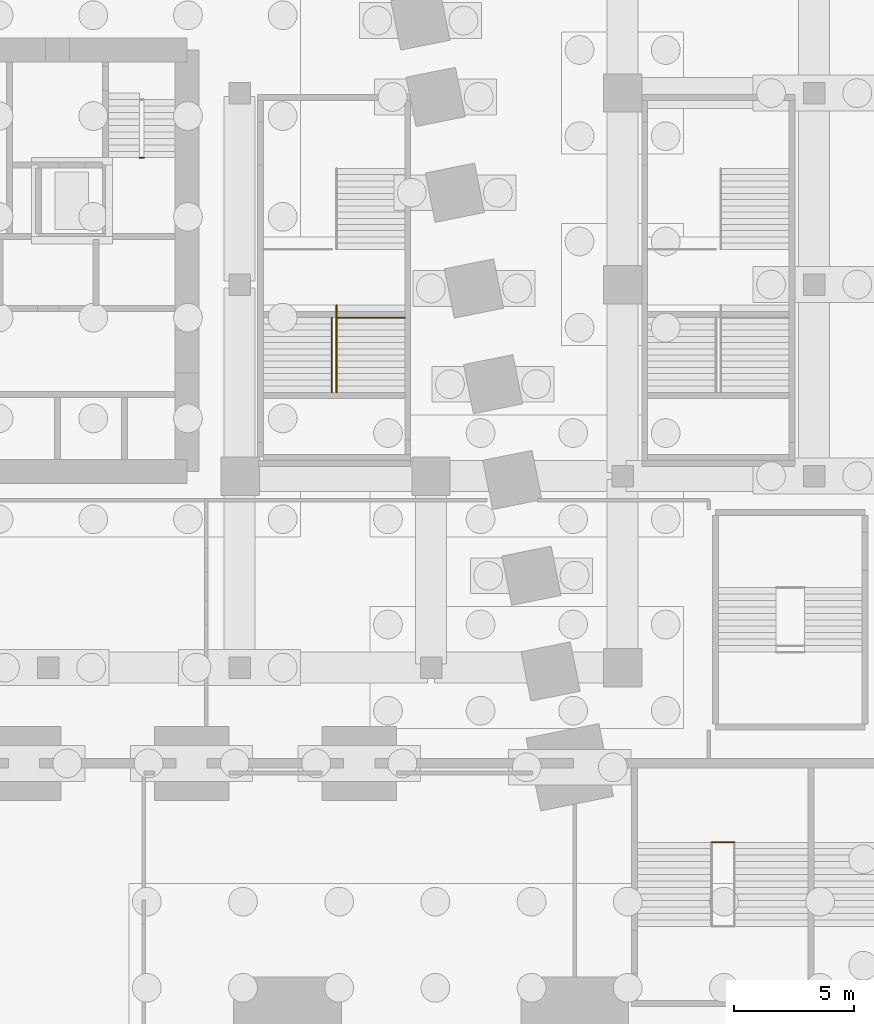
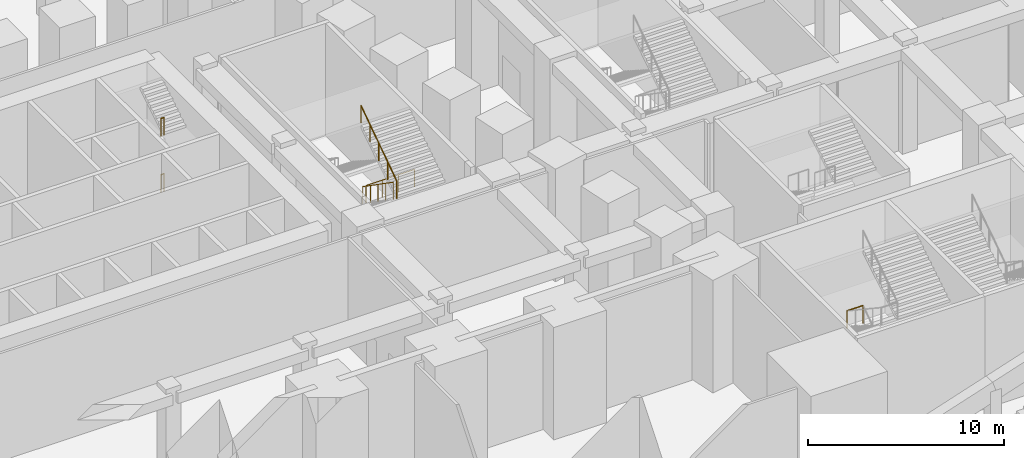
# One storey, part 26 of 30: 6 railings.
"""IFC4 building model written with IfcOpenShell, lengths in metres."""

from ifc_helpers import new_model, si_unit, direction, frame, origin, origin_2d, place, context, subcontext, project, spatial, circle, extrude, material, type_object, element, save


model = new_model("IFC4")

# Units and contexts
model_context = context("Model", 3, precision=1e-05, world=origin(), true_north=direction((0.0, 1.0)))
body_context = subcontext(model_context, "Body", "Model", "MODEL_VIEW")
ifc_project = project(units=[si_unit("LENGTHUNIT", "METRE"), si_unit("AREAUNIT", "SQUARE_METRE"), si_unit("VOLUMEUNIT", "CUBIC_METRE"), si_unit("PLANEANGLEUNIT", "RADIAN"), si_unit("MASSUNIT", "GRAM", prefix="KILO")], contexts=[model_context])

# Site, building, storey
site_placement = place(None, origin())
site = spatial("IfcSite", under=ifc_project, at=site_placement, CompositionType="ELEMENT")
building_placement = place(site_placement, origin())
building = spatial("IfcBuilding", under=site, at=building_placement, Name="Isbrekke Arena Tower", CompositionType="ELEMENT")
storey_placement = place(building_placement, frame((0.0, 0.0, -7.0)))
storey = spatial("IfcBuildingStorey", under=building, at=storey_placement, Name="B1", CompositionType="ELEMENT", Elevation=-7.0)

# Railings
ifc_material = material(Name="Steel stair guard, vertical bars, steel handrail", Category="steel")
railing_type = type_object("IfcRailingType", Name="GR3 STAIR WELL GUARD 1100", PredefinedType="GUARDRAIL", material=ifc_material)
railing_1_placement = place(storey_placement, frame((35.715087890625, -9.294921875, 2.333251953125)))
element("IfcRailing", 1, at=railing_1_placement, inside=storey, type_object=railing_type, Name="GR3 stair guard X1 landing 1", PredefinedType="GUARDRAIL", context=body_context, shape_type="SweptSolid", body=[
    extrude(circle(Radius=0.02392578125, at=origin_2d()), frame((0.0, 0.0, 1.076171875), z_axis=(1.0, 0.0, 0.0), x_axis=(0.0, 1.0, 0.0)), (0.0, 0.0, 1.0), 0.94482421875),
    extrude(circle(Radius=0.02099609375, at=origin_2d()), origin(), (0.0, 0.0, 1.0), 1.052001953125),
    extrude(circle(Radius=0.02099609375, at=origin_2d()), frame((0.94482421875, 0.0, 0.0)), (0.0, 0.0, 1.0), 1.052001953125),
])
railing_2_placement = place(storey_placement, frame((20.050048828125, 12.6201171875, 2.333251953125)))
element("IfcRailing", 2, at=railing_2_placement, inside=storey, type_object=railing_type, Name="GR3 stair guard X5 landing 1 south", PredefinedType="GUARDRAIL", context=body_context, shape_type="SweptSolid", body=[
    extrude(circle(Radius=0.02392578125, at=origin_2d()), frame((0.0, 0.0, 1.076171875), z_axis=(1.0, 0.0, 0.0), x_axis=(0.0, 1.0, 0.0)), (0.0, 0.0, 1.0), 2.849853515625),
    extrude(circle(Radius=0.02099609375, at=origin_2d()), origin(), (0.0, 0.0, 1.0), 1.052001953125),
    extrude(circle(Radius=0.02099609375, at=origin_2d()), frame((0.949951171875, 0.0, 0.0)), (0.0, 0.0, 1.0), 1.052001953125),
    extrude(circle(Radius=0.02099609375, at=origin_2d()), frame((1.89990234375, 0.0, 0.0)), (0.0, 0.0, 1.0), 1.052001953125),
    extrude(circle(Radius=0.02099609375, at=origin_2d()), frame((2.849853515625, 0.0, 0.0)), (0.0, 0.0, 1.0), 1.052001953125),
])
railing_3_placement = place(storey_placement, frame((19.85009765625, 12.6201171875, 2.333251953125)))
element("IfcRailing", 3, at=railing_3_placement, inside=storey, type_object=railing_type, Name="GR3 stair guard X5 flight 2", PredefinedType="GUARDRAIL", context=body_context, shape_type="SweptSolid", body=[
    extrude(circle(Radius=0.02392578125, at=origin_2d()), frame((0.0, 0.0, 1.076171875), z_axis=(0.0, -0.821369965673, 0.570395809495), x_axis=(1.0, 0.0, 0.0)), (0.0, 0.0, 1.0), 3.798583984375),
    extrude(circle(Radius=0.02099609375, at=origin_2d()), origin(), (0.0, 0.0, 1.0), 1.052001953125),
    extrude(circle(Radius=0.02099609375, at=origin_2d()), frame((0.0, -0.780029296875, 0.541748046875)), (0.0, 0.0, 1.0), 1.052001953125),
    extrude(circle(Radius=0.02099609375, at=origin_2d()), frame((0.0, -1.56005859375, 1.08349609375)), (0.0, 0.0, 1.0), 1.052001953125),
    extrude(circle(Radius=0.02099609375, at=origin_2d()), frame((0.0, -2.340087890625, 1.625)), (0.0, 0.0, 1.0), 1.052001953125),
    extrude(circle(Radius=0.02099609375, at=origin_2d()), frame((0.0, -3.1201171875, 2.166748046875)), (0.0, 0.0, 1.0), 1.052001953125),
])
railing_4_placement = place(storey_placement, frame((20.050048828125, 9.5, 4.5)))
element("IfcRailing", 4, at=railing_4_placement, inside=storey, type_object=railing_type, Name="GR3 stair guard X5 flight 3", PredefinedType="GUARDRAIL", context=body_context, shape_type="SweptSolid", body=[
    extrude(circle(Radius=0.02392578125, at=origin_2d()), frame((0.0, 0.0, 1.076171875), z_axis=(0.0, 0.824298337968, 0.566155676491), x_axis=(-1.0, 0.0, 0.0)), (0.0, 0.0, 1.0), 4.415771484375),
    extrude(circle(Radius=0.02099609375, at=origin_2d()), origin(), (0.0, 0.0, 1.0), 1.052001953125),
    extrude(circle(Radius=0.02099609375, at=origin_2d()), frame((0.0, 0.909912109375, 0.625)), (0.0, 0.0, 1.0), 1.052001953125),
    extrude(circle(Radius=0.02099609375, at=origin_2d()), frame((0.0, 1.81982421875, 1.25)), (0.0, 0.0, 1.0), 1.052001953125),
    extrude(circle(Radius=0.02099609375, at=origin_2d()), frame((0.0, 2.72998046875, 1.875)), (0.0, 0.0, 1.0), 1.052001953125),
    extrude(circle(Radius=0.02099609375, at=origin_2d()), frame((0.0, 3.639892578125, 2.5)), (0.0, 0.0, 1.0), 1.052001953125),
])
for number, where, name in (
    (5, (11.824951171875, 19.300048828125, 1.833251953125), "GR3 stair well guard ST2 B1"),
    (6, (11.824951171875, 19.300048828125, 5.333251953125), "GR3 stair well guard ST2 B1"),
):
    element("IfcRailing", number, at=place(storey_placement, frame(where)), inside=storey, type_object=railing_type, Name=name, PredefinedType="GUARDRAIL", context=body_context, shape_type="SweptSolid", body=[
        extrude(circle(Radius=0.02392578125, at=origin_2d()), frame((0.0, 0.0, 1.076171875), z_axis=(1.0, 0.0, 0.0), x_axis=(0.0, 1.0, 0.0)), (0.0, 0.0, 1.0), 0.175048828125),
        extrude(circle(Radius=0.02099609375, at=origin_2d()), origin(), (0.0, 0.0, 1.0), 1.052001953125),
        extrude(circle(Radius=0.02099609375, at=origin_2d()), frame((0.175048828125, 0.0, 0.0)), (0.0, 0.0, 1.0), 1.052001953125),
    ])

save(model, "model.ifc")
